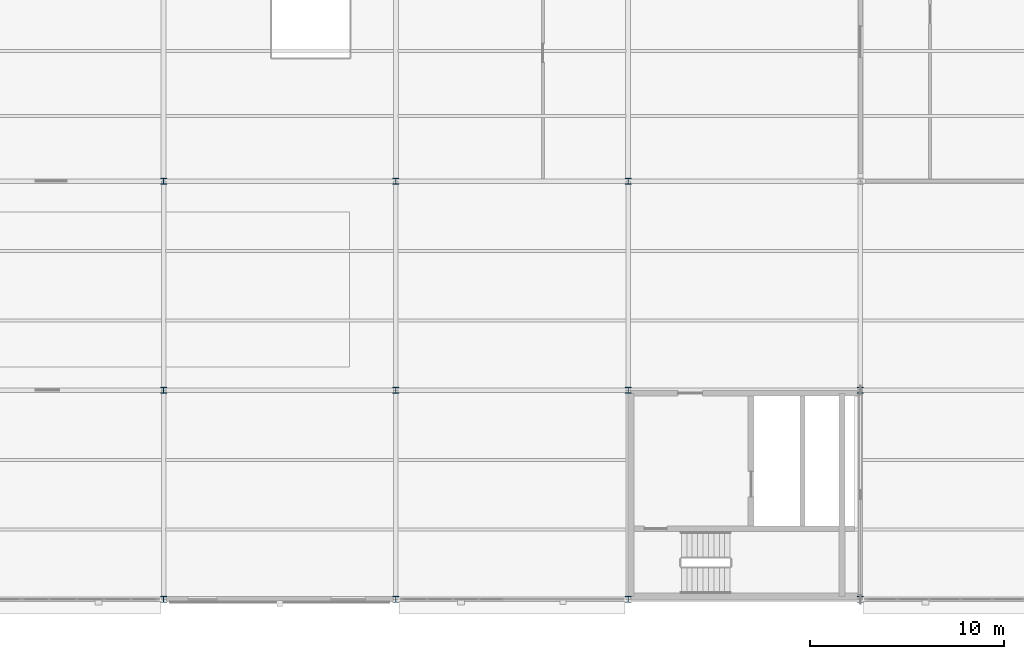
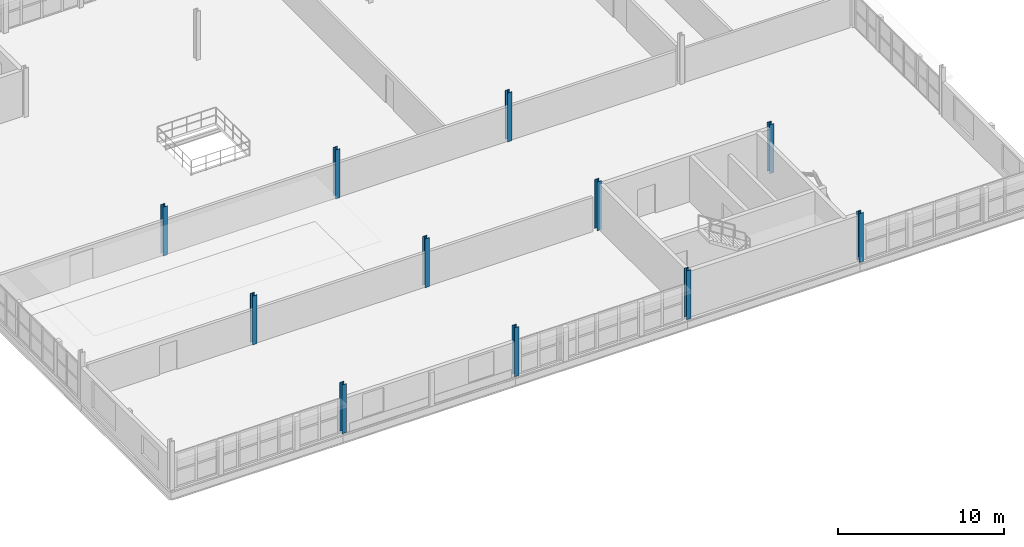
# One storey, part 17 of 101: 11 columns.
"""IFC4 building model written with IfcOpenShell, lengths in metres."""

from ifc_helpers import new_model, si_unit, direction, frame, origin, origin_2d, place, context, subcontext, project, spatial, i_section, extrude, material, material_profile, profile_set, type_object, element, save


model = new_model("IFC4")

# Units and contexts
model_context = context("Model", 3, precision=1e-05, world=origin(), true_north=direction((0.0, 1.0)))
body_context = subcontext(model_context, "Body", "Model", "MODEL_VIEW")
ifc_project = project(units=[si_unit("LENGTHUNIT", "METRE"), si_unit("AREAUNIT", "SQUARE_METRE"), si_unit("VOLUMEUNIT", "CUBIC_METRE"), si_unit("PLANEANGLEUNIT", "RADIAN"), si_unit("MASSUNIT", "GRAM", prefix="KILO"), si_unit("THERMODYNAMICTEMPERATUREUNIT", "KELVIN"), si_unit("POWERUNIT", "WATT")], contexts=[model_context])

# Site, building, storey
site_placement = place(None, origin())
site = spatial("IfcSite", under=ifc_project, at=site_placement, CompositionType="ELEMENT")
building_placement = place(site_placement, origin())
building = spatial("IfcBuilding", under=site, at=building_placement, Name="Tembeka Court Mobility Hub", CompositionType="ELEMENT")
storey_placement = place(building_placement, frame((0.0, 0.0, 5.39990234375)))
storey = spatial("IfcBuildingStorey", under=building, at=storey_placement, Name="L01", CompositionType="ELEMENT", Elevation=5.39990234375)

# Columns
ifc_material = material(Name="Steel S355", Category="steel")
ifc_material_profile = material_profile(ifc_material, i_section(OverallWidth=0.30908203125, OverallDepth=0.321044921875, WebThickness=0.013916015625, FlangeThickness=0.021728515625, FilletRadius=0.01513671875, at=origin_2d()), Name="UKC 305x305x137")
ifc_profile_set = profile_set([ifc_material_profile], Name="Steel S355")
column_type = type_object("IfcColumnType", Name="COL-C04", PredefinedType="COLUMN", material=ifc_profile_set)
for number, where, z_axis, x_axis, name in (
    (1, (128.39990234375, 0.0, 0.0), (0.0, 0.0, 1.0), (1.0, 0.0, 0.0), "Column C04 (L01-173)"),
    (2, (128.39990234375, 10.800048828125, 0.0), (0.0, 0.0, 1.0), (1.0, 0.0, 0.0), "Column C04 (L01-174)"),
    (3, (128.39990234375, 21.60009765625, 0.0), (0.0, 0.0, 1.0), (1.0, 0.0, 0.0), "Column C04 (L01-175)"),
    (4, (140.39990234375, 0.0, 0.0), (0.0, 0.0, 1.0), (1.0, 0.0, 0.0), "Column C04 (L01-193)"),
    (5, (140.39990234375, 10.800048828125, 0.0), (0.0, 0.0, 1.0), (1.0, 0.0, 0.0), "Column C04 (L01-194)"),
    (6, (140.39990234375, 21.60009765625, 0.0), (0.0, 0.0, 1.0), (1.0, 0.0, 0.0), "Column C04 (L01-195)"),
    (7, (152.39990234375, 0.0, 0.0), (0.0, 0.0, 1.0), (1.0, 0.0, 0.0), "Column C04 (L01-206)"),
    (8, (152.39990234375, 10.800048828125, 0.0), (0.0, 0.0, 1.0), (1.0, 0.0, 0.0), "Column C04 (L01-207)"),
    (9, (152.39990234375, 21.60009765625, 0.0), (0.0, 0.0, 1.0), (1.0, 0.0, 0.0), "Column C04 (L01-208)"),
    (10, (164.39990234375, 0.0, 0.0), (0.0, 0.0, 1.0), (1.0, 0.0, 0.0), "Column C04 (L01-220)"),
    (11, (164.39990234375, 10.800048828125, 0.0), (0.0, 0.0, 1.0), (1.0, 0.0, 0.0), "Column C04 (L01-221)"),
):
    element("IfcColumn", number, at=place(storey_placement, frame(where, z_axis=z_axis, x_axis=x_axis)), inside=storey, type_object=column_type, Name=name, PredefinedType="COLUMN", context=body_context, shape_type="SweptSolid", body=[
        extrude(i_section(OverallWidth=0.30908203125, OverallDepth=0.321044921875, WebThickness=0.013916015625, FlangeThickness=0.021728515625, FilletRadius=0.01513671875, at=origin_2d()), origin(), (0.0, 0.0, 1.0), 3.60009765625),
    ])

save(model, "model.ifc")
